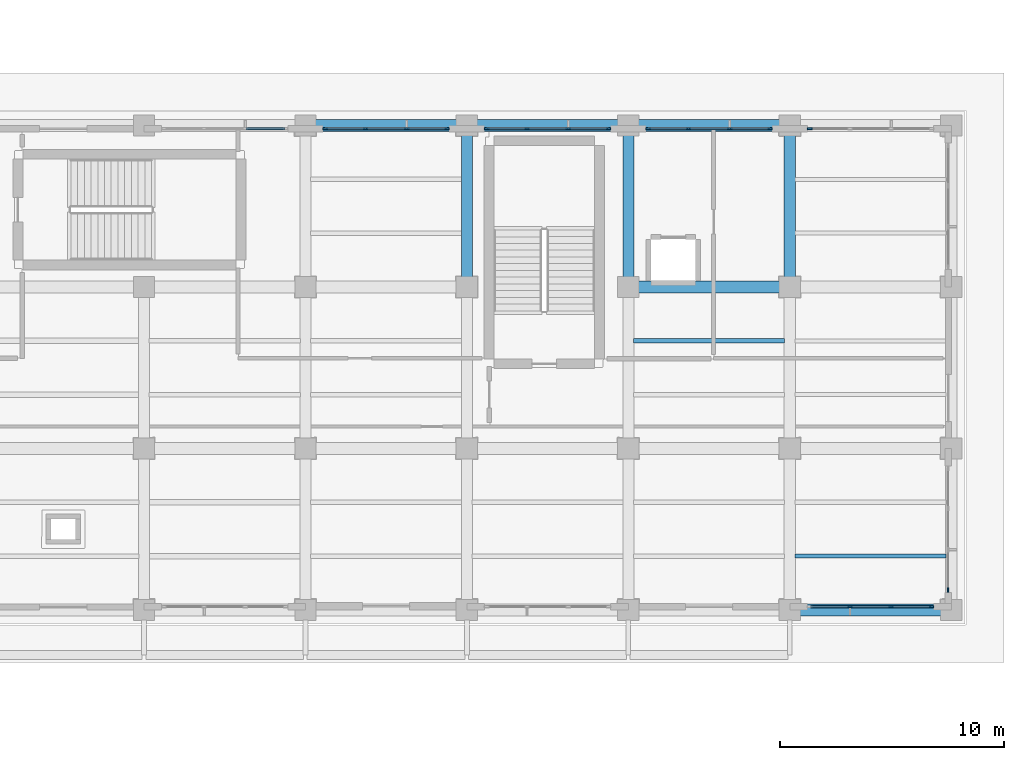
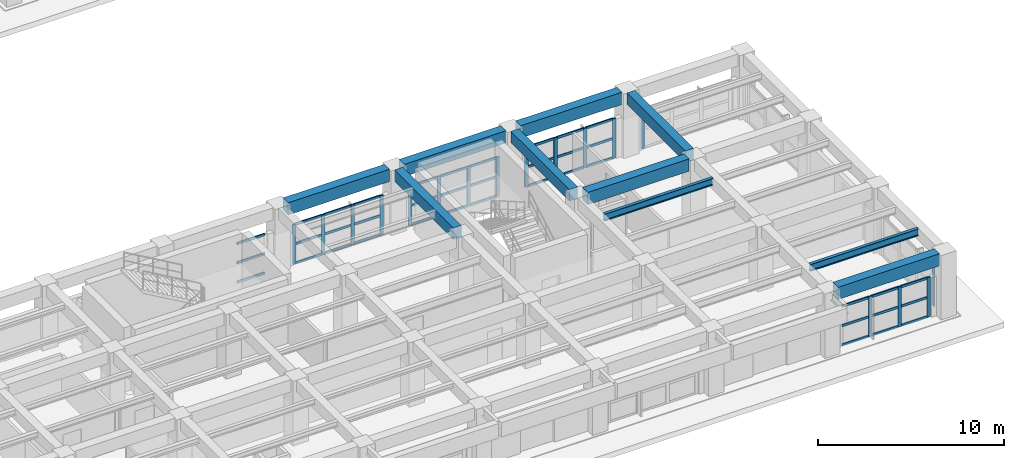
# One storey, part 27 of 64: 56 members, 10 beams, 7 elements without a shape of their own.
"""IFC4 building model written with IfcOpenShell, lengths in metres."""

from ifc_helpers import new_model, si_unit, direction, frame, origin, origin_2d, place, context, subcontext, project, spatial, rectangle, i_section, extrude, material, layer, layer_set, material_profile, profile_set, type_object, element, aggregate, save


model = new_model("IFC4")

# Units and contexts
model_context = context("Model", 3, precision=1e-05, world=origin(), true_north=direction((0.0, 1.0)))
body_context = subcontext(model_context, "Body", "Model", "MODEL_VIEW")
ifc_project = project(units=[si_unit("LENGTHUNIT", "METRE"), si_unit("AREAUNIT", "SQUARE_METRE"), si_unit("VOLUMEUNIT", "CUBIC_METRE"), si_unit("PLANEANGLEUNIT", "RADIAN"), si_unit("MASSUNIT", "GRAM", prefix="KILO")], contexts=[model_context])

# Site, building, storey
site_placement = place(None, origin())
site = spatial("IfcSite", under=ifc_project, at=site_placement, CompositionType="ELEMENT")
building_placement = place(site_placement, origin())
building = spatial("IfcBuilding", under=site, at=building_placement, Name="Solenvale Faculty of Natural Sciences", CompositionType="ELEMENT")
storey_placement = place(building_placement, origin())
storey = spatial("IfcBuildingStorey", under=building, at=storey_placement, Name="L00", CompositionType="ELEMENT", Elevation=0.0)

# Beams
ifc_material_1 = material(Name="Concrete 40 MPa", Category="concrete")
ifc_material_profile_1 = material_profile(ifc_material_1, rectangle(XDim=0.5, YDim=0.75, at=origin_2d()), Name="RC-BM-500x750")
ifc_profile_set_1 = profile_set([ifc_material_profile_1], Name="Concrete 40 MPa")
beam_type_1 = type_object("IfcBeamType", Name="BM-RC-500x750", PredefinedType="BEAM", material=ifc_profile_set_1)
for number, where, z_axis, x_axis, name in (
    (1, (144.0, 50.85498046875, 3.844970703125), (0.0, 1.0, 0.0), (-1.0, 0.0, 0.0), "L00 Y-Girder X144.0 (50.4..57.6)"),
    (2, (151.199951171875, 50.85498046875, 3.844970703125), (0.0, 1.0, 0.0), (-1.0, 0.0, 0.0), "L00 Y-Girder X151.2 (50.4..57.6)"),
    (3, (158.39990234375, 50.85498046875, 3.844970703125), (0.0, 1.0, 0.0), (-1.0, 0.0, 0.0), "L00 Y-Girder X158.4 (50.4..57.6)"),
):
    element("IfcBeam", number, at=place(storey_placement, frame(where, z_axis=z_axis, x_axis=x_axis)), inside=storey, type_object=beam_type_1, Name=name, PredefinedType="BEAM", context=body_context, shape_type="SweptSolid", body=[
        extrude(rectangle(XDim=0.5, YDim=0.75, at=origin_2d()), origin(), (0.0, 0.0, 1.0), 6.2900390625),
    ])
ifc_material_profile_2 = material_profile(ifc_material_1, rectangle(XDim=0.550048828125, YDim=0.800048828125, at=origin_2d()), Name="RC-BM-550x800")
ifc_profile_set_2 = profile_set([ifc_material_profile_2], Name="Concrete 40 MPa")
beam_type_2 = type_object("IfcBeamType", Name="BM-RC-550x800", PredefinedType="BEAM", material=ifc_profile_set_2)
for number, where, z_axis, x_axis, name in (
    (4, (158.85498046875, 36.0, 3.820068359375), (1.0, 0.0, 0.0), (0.0, 1.0, 0.0), "L00 X-Girder Y36.0 (158.4..165.6)"),
    (5, (151.655029296875, 50.39990234375, 3.820068359375), (1.0, 0.0, 0.0), (0.0, 1.0, 0.0), "L00 X-Girder Y50.4 (151.2..158.4)"),
    (6, (137.2548828125, 57.60009765625, 3.820068359375), (1.0, 0.0, 0.0), (0.0, 1.0, 0.0), "L00 X-Girder Y57.6 (136.8..144.0)"),
    (7, (144.455078125, 57.60009765625, 3.820068359375), (1.0, 0.0, 0.0), (0.0, 1.0, 0.0), "L00 X-Girder Y57.6 (144.0..151.2)"),
    (8, (151.655029296875, 57.60009765625, 3.820068359375), (1.0, 0.0, 0.0), (0.0, 1.0, 0.0), "L00 X-Girder Y57.6 (151.2..158.4)"),
):
    element("IfcBeam", number, at=place(storey_placement, frame(where, z_axis=z_axis, x_axis=x_axis)), inside=storey, type_object=beam_type_2, Name=name, PredefinedType="BEAM", context=body_context, shape_type="SweptSolid", body=[
        extrude(rectangle(XDim=0.550048828125, YDim=0.800048828125, at=origin_2d()), origin(), (0.0, 0.0, 1.0), 6.2900390625),
    ])
ifc_material_2 = material(Name="Steel S355", Category="steel")
ifc_material_profile_3 = material_profile(ifc_material_2, i_section(OverallWidth=0.19091796875, OverallDepth=0.4599609375, WebThickness=0.010009765625, FlangeThickness=0.01611328125, FilletRadius=0.01806640625, at=origin_2d()), Name="W460x82")
ifc_profile_set_3 = profile_set([ifc_material_profile_3], Name="Steel S355")
beam_type_3 = type_object("IfcBeamType", Name="BM-STL-W460x82", PredefinedType="JOIST", material=ifc_profile_set_3)
beam_1_placement = place(storey_placement, frame((151.429931640625, 48.0, 3.989990234375), z_axis=(1.0, 0.0, 0.0), x_axis=(0.0, 1.0, 0.0)))
element("IfcBeam", 9, at=beam_1_placement, inside=storey, type_object=beam_type_3, Name="L00 Composite Floor Joist (22,7).2", PredefinedType="JOIST", context=body_context, shape_type="SweptSolid", body=[
    extrude(i_section(OverallWidth=0.19091796875, OverallDepth=0.4599609375, WebThickness=0.010009765625, FlangeThickness=0.01611328125, FilletRadius=0.01806640625, at=origin_2d()), origin(), (0.0, 0.0, 1.0), 6.739990234375),
])
beam_2_placement = place(storey_placement, frame((158.6298828125, 38.39990234375, 3.989990234375), z_axis=(1.0, 0.0, 0.0), x_axis=(0.0, 1.0, 0.0)))
element("IfcBeam", 10, at=beam_2_placement, inside=storey, type_object=beam_type_3, Name="L00 Composite Floor Joist (23,6).1", PredefinedType="JOIST", context=body_context, shape_type="SweptSolid", body=[
    extrude(i_section(OverallWidth=0.19091796875, OverallDepth=0.4599609375, WebThickness=0.010009765625, FlangeThickness=0.01611328125, FilletRadius=0.01806640625, at=origin_2d()), origin(), (0.0, 0.0, 1.0), 6.740234375),
])

# Curtain wall, members
ifc_material_3 = material(Name="Anodised bronze aluminium", Category="aluminium")
ifc_layer = layer(ifc_material_3, 0.199951171875)
ifc_layer_set = layer_set([ifc_layer], Name="Anodised bronze aluminium")
curtain_wall_type = type_object("IfcCurtainWallType", Name="CW-COM-FIN", PredefinedType="USERDEFINED", material=ifc_layer_set)
curtain_wall_1_placement = place(storey_placement, origin())
curtain_wall_1 = element("IfcCurtainWall", 11, at=curtain_wall_1_placement, inside=storey, type_object=curtain_wall_type, Name="L00 Curtain Wall CW-L00-P1-E5-B7", ObjectType="UNITISED CURTAIN WALL", PredefinedType="USERDEFINED")
ifc_material_profile_4 = material_profile(ifc_material_3, rectangle(XDim=0.074951171875, YDim=0.2099609375, at=origin_2d()), Name="ALU-MUL-75x210")
ifc_profile_set_4 = profile_set([ifc_material_profile_4], Name="Anodised bronze aluminium")
member_type_1 = type_object("IfcMemberType", Name="CWM-ALU-75x210", PredefinedType="MULLION", material=ifc_profile_set_4)
member_1_placement = place(storey_placement, frame((161.083251953125, 36.142578125, 0.0), z_axis=(0.0, 0.0, 1.0), x_axis=(0.0, 1.0, 0.0)))
member_1 = element("IfcMember", 12, at=member_1_placement, type_object=member_type_1, Name="CW-03 mullion 2", PredefinedType="MULLION", context=body_context, shape_type="SweptSolid", body=[
    extrude(rectangle(XDim=0.074951171875, YDim=0.2099609375, at=origin_2d()), origin(), (0.0, 0.0, 1.0), 2.60009765625),
])
member_2_placement = place(storey_placement, frame((162.916748046875, 36.142578125, 0.0), z_axis=(0.0, 0.0, 1.0), x_axis=(0.0, 1.0, 0.0)))
member_2 = element("IfcMember", 13, at=member_2_placement, type_object=member_type_1, Name="CW-03 mullion 3", PredefinedType="MULLION", context=body_context, shape_type="SweptSolid", body=[
    extrude(rectangle(XDim=0.074951171875, YDim=0.2099609375, at=origin_2d()), origin(), (0.0, 0.0, 1.0), 2.60009765625),
])
member_3_placement = place(storey_placement, frame((164.71240234375, 36.142578125, 0.0), z_axis=(0.0, 0.0, 1.0), x_axis=(0.0, 1.0, 0.0)))
member_3 = element("IfcMember", 14, at=member_3_placement, type_object=member_type_1, Name="CW-03 mullion 4", PredefinedType="MULLION", context=body_context, shape_type="SweptSolid", body=[
    extrude(rectangle(XDim=0.074951171875, YDim=0.2099609375, at=origin_2d()), origin(), (0.0, 0.0, 1.0), 2.60009765625),
])

# Curtain wall, member
curtain_wall_2_placement = place(storey_placement, origin())
curtain_wall_2 = element("IfcCurtainWall", 15, at=curtain_wall_2_placement, inside=storey, type_object=curtain_wall_type, Name="L00 Curtain Wall CW-L00-P1-E6-B1", ObjectType="UNITISED CURTAIN WALL", PredefinedType="USERDEFINED")
member_4_placement = place(storey_placement, frame((165.45751953125, 36.887451171875, 0.0), z_axis=(0.0, 0.0, 1.0), x_axis=(-1.0, 0.0, 0.0)))
member_4 = element("IfcMember", 16, at=member_4_placement, type_object=member_type_1, Name="CW-03 mullion 1", PredefinedType="MULLION", context=body_context, shape_type="SweptSolid", body=[
    extrude(rectangle(XDim=0.074951171875, YDim=0.2099609375, at=origin_2d()), origin(), (0.0, 0.0, 1.0), 2.60009765625),
])
aggregate(curtain_wall_2, [member_4])

curtain_wall_3_placement = place(storey_placement, origin())
curtain_wall_3 = element("IfcCurtainWall", 17, at=curtain_wall_3_placement, inside=storey, type_object=curtain_wall_type, Name="L00 Curtain Wall CW-L00-P1-E7-B1", ObjectType="UNITISED CURTAIN WALL", PredefinedType="USERDEFINED")
member_5_placement = place(storey_placement, frame((159.28759765625, 57.45751953125, 0.0), z_axis=(0.0, 0.0, 1.0), x_axis=(0.0, -1.0, 0.0)))
member_5 = element("IfcMember", 18, at=member_5_placement, type_object=member_type_1, Name="CW-03 mullion 4", PredefinedType="MULLION", context=body_context, shape_type="SweptSolid", body=[
    extrude(rectangle(XDim=0.074951171875, YDim=0.2099609375, at=origin_2d()), origin(), (0.0, 0.0, 1.0), 2.60009765625),
])
aggregate(curtain_wall_3, [member_5])

# Curtain wall, members
curtain_wall_4_placement = place(storey_placement, origin())
curtain_wall_4 = element("IfcCurtainWall", 19, at=curtain_wall_4_placement, inside=storey, type_object=curtain_wall_type, Name="L00 Curtain Wall CW-L00-P1-E7-B2", ObjectType="UNITISED CURTAIN WALL", PredefinedType="USERDEFINED")
member_6_placement = place(storey_placement, frame((157.512451171875, 57.45751953125, 0.0), z_axis=(0.0, 0.0, 1.0), x_axis=(0.0, -1.0, 0.0)))
member_6 = element("IfcMember", 20, at=member_6_placement, type_object=member_type_1, Name="CW-03 mullion 1", PredefinedType="MULLION", context=body_context, shape_type="SweptSolid", body=[
    extrude(rectangle(XDim=0.074951171875, YDim=0.2099609375, at=origin_2d()), origin(), (0.0, 0.0, 1.0), 2.60009765625),
])
member_7_placement = place(storey_placement, frame((155.716552734375, 57.45751953125, 0.0), z_axis=(0.0, 0.0, 1.0), x_axis=(0.0, -1.0, 0.0)))
member_7 = element("IfcMember", 21, at=member_7_placement, type_object=member_type_1, Name="CW-03 mullion 2", PredefinedType="MULLION", context=body_context, shape_type="SweptSolid", body=[
    extrude(rectangle(XDim=0.074951171875, YDim=0.2099609375, at=origin_2d()), origin(), (0.0, 0.0, 1.0), 2.60009765625),
])
member_8_placement = place(storey_placement, frame((153.88330078125, 57.45751953125, 0.0), z_axis=(0.0, 0.0, 1.0), x_axis=(0.0, -1.0, 0.0)))
member_8 = element("IfcMember", 22, at=member_8_placement, type_object=member_type_1, Name="CW-03 mullion 3", PredefinedType="MULLION", context=body_context, shape_type="SweptSolid", body=[
    extrude(rectangle(XDim=0.074951171875, YDim=0.2099609375, at=origin_2d()), origin(), (0.0, 0.0, 1.0), 2.60009765625),
])
member_9_placement = place(storey_placement, frame((152.08740234375, 57.45751953125, 0.0), z_axis=(0.0, 0.0, 1.0), x_axis=(0.0, -1.0, 0.0)))
member_9 = element("IfcMember", 23, at=member_9_placement, type_object=member_type_1, Name="CW-03 mullion 4", PredefinedType="MULLION", context=body_context, shape_type="SweptSolid", body=[
    extrude(rectangle(XDim=0.074951171875, YDim=0.2099609375, at=origin_2d()), origin(), (0.0, 0.0, 1.0), 2.60009765625),
])

curtain_wall_5_placement = place(storey_placement, origin())
curtain_wall_5 = element("IfcCurtainWall", 24, at=curtain_wall_5_placement, inside=storey, type_object=curtain_wall_type, Name="L00 Curtain Wall CW-L00-P1-E7-B3", ObjectType="UNITISED CURTAIN WALL", PredefinedType="USERDEFINED")
member_10_placement = place(storey_placement, frame((150.3125, 57.45751953125, 0.0), z_axis=(0.0, 0.0, 1.0), x_axis=(0.0, -1.0, 0.0)))
member_10 = element("IfcMember", 25, at=member_10_placement, type_object=member_type_1, Name="CW-03 mullion 1", PredefinedType="MULLION", context=body_context, shape_type="SweptSolid", body=[
    extrude(rectangle(XDim=0.074951171875, YDim=0.2099609375, at=origin_2d()), origin(), (0.0, 0.0, 1.0), 2.60009765625),
])
member_11_placement = place(storey_placement, frame((148.5166015625, 57.45751953125, 0.0), z_axis=(0.0, 0.0, 1.0), x_axis=(0.0, -1.0, 0.0)))
member_11 = element("IfcMember", 26, at=member_11_placement, type_object=member_type_1, Name="CW-03 mullion 2", PredefinedType="MULLION", context=body_context, shape_type="SweptSolid", body=[
    extrude(rectangle(XDim=0.074951171875, YDim=0.2099609375, at=origin_2d()), origin(), (0.0, 0.0, 1.0), 2.60009765625),
])
member_12_placement = place(storey_placement, frame((146.683349609375, 57.45751953125, 0.0), z_axis=(0.0, 0.0, 1.0), x_axis=(0.0, -1.0, 0.0)))
member_12 = element("IfcMember", 27, at=member_12_placement, type_object=member_type_1, Name="CW-03 mullion 3", PredefinedType="MULLION", context=body_context, shape_type="SweptSolid", body=[
    extrude(rectangle(XDim=0.074951171875, YDim=0.2099609375, at=origin_2d()), origin(), (0.0, 0.0, 1.0), 2.60009765625),
])
member_13_placement = place(storey_placement, frame((144.887451171875, 57.45751953125, 0.0), z_axis=(0.0, 0.0, 1.0), x_axis=(0.0, -1.0, 0.0)))
member_13 = element("IfcMember", 28, at=member_13_placement, type_object=member_type_1, Name="CW-03 mullion 4", PredefinedType="MULLION", context=body_context, shape_type="SweptSolid", body=[
    extrude(rectangle(XDim=0.074951171875, YDim=0.2099609375, at=origin_2d()), origin(), (0.0, 0.0, 1.0), 2.60009765625),
])

curtain_wall_6_placement = place(storey_placement, origin())
curtain_wall_6 = element("IfcCurtainWall", 29, at=curtain_wall_6_placement, inside=storey, type_object=curtain_wall_type, Name="L00 Curtain Wall CW-L00-P1-E7-B4", ObjectType="UNITISED CURTAIN WALL", PredefinedType="USERDEFINED")
member_14_placement = place(storey_placement, frame((143.112548828125, 57.45751953125, 0.0), z_axis=(0.0, 0.0, 1.0), x_axis=(0.0, -1.0, 0.0)))
member_14 = element("IfcMember", 30, at=member_14_placement, type_object=member_type_1, Name="CW-03 mullion 1", PredefinedType="MULLION", context=body_context, shape_type="SweptSolid", body=[
    extrude(rectangle(XDim=0.074951171875, YDim=0.2099609375, at=origin_2d()), origin(), (0.0, 0.0, 1.0), 2.60009765625),
])
member_15_placement = place(storey_placement, frame((141.316650390625, 57.45751953125, 0.0), z_axis=(0.0, 0.0, 1.0), x_axis=(0.0, -1.0, 0.0)))
member_15 = element("IfcMember", 31, at=member_15_placement, type_object=member_type_1, Name="CW-03 mullion 2", PredefinedType="MULLION", context=body_context, shape_type="SweptSolid", body=[
    extrude(rectangle(XDim=0.074951171875, YDim=0.2099609375, at=origin_2d()), origin(), (0.0, 0.0, 1.0), 2.60009765625),
])
member_16_placement = place(storey_placement, frame((139.4833984375, 57.45751953125, 0.0), z_axis=(0.0, 0.0, 1.0), x_axis=(0.0, -1.0, 0.0)))
member_16 = element("IfcMember", 32, at=member_16_placement, type_object=member_type_1, Name="CW-03 mullion 3", PredefinedType="MULLION", context=body_context, shape_type="SweptSolid", body=[
    extrude(rectangle(XDim=0.074951171875, YDim=0.2099609375, at=origin_2d()), origin(), (0.0, 0.0, 1.0), 2.60009765625),
])
member_17_placement = place(storey_placement, frame((137.6875, 57.45751953125, 0.0), z_axis=(0.0, 0.0, 1.0), x_axis=(0.0, -1.0, 0.0)))
member_17 = element("IfcMember", 33, at=member_17_placement, type_object=member_type_1, Name="CW-03 mullion 4", PredefinedType="MULLION", context=body_context, shape_type="SweptSolid", body=[
    extrude(rectangle(XDim=0.074951171875, YDim=0.2099609375, at=origin_2d()), origin(), (0.0, 0.0, 1.0), 2.60009765625),
])

# Member
ifc_material_profile_5 = material_profile(ifc_material_3, rectangle(XDim=0.074951171875, YDim=0.155029296875, at=origin_2d()), Name="ALU-TRN-75x155")
ifc_profile_set_5 = profile_set([ifc_material_profile_5], Name="Anodised bronze aluminium")
member_type_2 = type_object("IfcMemberType", Name="CWT-ALU-75x155", PredefinedType="USERDEFINED", material=ifc_profile_set_5)
member_18_placement = place(storey_placement, frame((159.324951171875, 36.142578125, 0.03759765625), z_axis=(1.0, 0.0, 0.0), x_axis=(0.0, 1.0, 0.0)))
member_18 = element("IfcMember", 34, at=member_18_placement, type_object=member_type_2, Name="CW-03 transom 1.1", ObjectType="TRANSOM", PredefinedType="USERDEFINED", context=body_context, shape_type="SweptSolid", body=[
    extrude(rectangle(XDim=0.074951171875, YDim=0.155029296875, at=origin_2d()), origin(), (0.0, 0.0, 1.0), 1.720947265625),
])

member_19_placement = place(storey_placement, frame((159.324951171875, 36.142578125, 1.300048828125), z_axis=(1.0, 0.0, 0.0), x_axis=(0.0, 1.0, 0.0)))
member_19 = element("IfcMember", 35, at=member_19_placement, type_object=member_type_2, Name="CW-03 transom 1.2", ObjectType="TRANSOM", PredefinedType="USERDEFINED", context=body_context, shape_type="SweptSolid", body=[
    extrude(rectangle(XDim=0.074951171875, YDim=0.155029296875, at=origin_2d()), origin(), (0.0, 0.0, 1.0), 1.720947265625),
])

member_20_placement = place(storey_placement, frame((159.324951171875, 36.142578125, 2.5625), z_axis=(1.0, 0.0, 0.0), x_axis=(0.0, 1.0, 0.0)))
member_20 = element("IfcMember", 36, at=member_20_placement, type_object=member_type_2, Name="CW-03 transom 1.3", ObjectType="TRANSOM", PredefinedType="USERDEFINED", context=body_context, shape_type="SweptSolid", body=[
    extrude(rectangle(XDim=0.074951171875, YDim=0.155029296875, at=origin_2d()), origin(), (0.0, 0.0, 1.0), 1.720947265625),
])

member_21_placement = place(storey_placement, frame((161.120849609375, 36.142578125, 0.03759765625), z_axis=(1.0, 0.0, 0.0), x_axis=(0.0, 1.0, 0.0)))
member_21 = element("IfcMember", 37, at=member_21_placement, type_object=member_type_2, Name="CW-03 transom 2.1", ObjectType="TRANSOM", PredefinedType="USERDEFINED", context=body_context, shape_type="SweptSolid", body=[
    extrude(rectangle(XDim=0.074951171875, YDim=0.155029296875, at=origin_2d()), origin(), (0.0, 0.0, 1.0), 1.75830078125),
])

member_22_placement = place(storey_placement, frame((161.120849609375, 36.142578125, 1.300048828125), z_axis=(1.0, 0.0, 0.0), x_axis=(0.0, 1.0, 0.0)))
member_22 = element("IfcMember", 38, at=member_22_placement, type_object=member_type_2, Name="CW-03 transom 2.2", ObjectType="TRANSOM", PredefinedType="USERDEFINED", context=body_context, shape_type="SweptSolid", body=[
    extrude(rectangle(XDim=0.074951171875, YDim=0.155029296875, at=origin_2d()), origin(), (0.0, 0.0, 1.0), 1.75830078125),
])

member_23_placement = place(storey_placement, frame((161.120849609375, 36.142578125, 2.5625), z_axis=(1.0, 0.0, 0.0), x_axis=(0.0, 1.0, 0.0)))
member_23 = element("IfcMember", 39, at=member_23_placement, type_object=member_type_2, Name="CW-03 transom 2.3", ObjectType="TRANSOM", PredefinedType="USERDEFINED", context=body_context, shape_type="SweptSolid", body=[
    extrude(rectangle(XDim=0.074951171875, YDim=0.155029296875, at=origin_2d()), origin(), (0.0, 0.0, 1.0), 1.75830078125),
])

member_24_placement = place(storey_placement, frame((162.9541015625, 36.142578125, 0.03759765625), z_axis=(1.0, 0.0, 0.0), x_axis=(0.0, 1.0, 0.0)))
member_24 = element("IfcMember", 40, at=member_24_placement, type_object=member_type_2, Name="CW-03 transom 3.1", ObjectType="TRANSOM", PredefinedType="USERDEFINED", context=body_context, shape_type="SweptSolid", body=[
    extrude(rectangle(XDim=0.074951171875, YDim=0.155029296875, at=origin_2d()), origin(), (0.0, 0.0, 1.0), 1.720947265625),
])

member_25_placement = place(storey_placement, frame((162.9541015625, 36.142578125, 1.300048828125), z_axis=(1.0, 0.0, 0.0), x_axis=(0.0, 1.0, 0.0)))
member_25 = element("IfcMember", 41, at=member_25_placement, type_object=member_type_2, Name="CW-03 transom 3.2", ObjectType="TRANSOM", PredefinedType="USERDEFINED", context=body_context, shape_type="SweptSolid", body=[
    extrude(rectangle(XDim=0.074951171875, YDim=0.155029296875, at=origin_2d()), origin(), (0.0, 0.0, 1.0), 1.720947265625),
])

member_26_placement = place(storey_placement, frame((162.9541015625, 36.142578125, 2.5625), z_axis=(1.0, 0.0, 0.0), x_axis=(0.0, 1.0, 0.0)))
member_26 = element("IfcMember", 42, at=member_26_placement, type_object=member_type_2, Name="CW-03 transom 3.3", ObjectType="TRANSOM", PredefinedType="USERDEFINED", context=body_context, shape_type="SweptSolid", body=[
    extrude(rectangle(XDim=0.074951171875, YDim=0.155029296875, at=origin_2d()), origin(), (0.0, 0.0, 1.0), 1.720947265625),
])

aggregate(curtain_wall_1, [member_1, member_2, member_3, member_18, member_19, member_20, member_21, member_22, member_23, member_24, member_25, member_26])

member_27_placement = place(storey_placement, frame((157.47509765625, 57.45751953125, 0.03759765625), z_axis=(-1.0, 0.0, 0.0), x_axis=(0.0, -1.0, 0.0)))
member_27 = element("IfcMember", 43, at=member_27_placement, type_object=member_type_2, Name="CW-03 transom 1.1", ObjectType="TRANSOM", PredefinedType="USERDEFINED", context=body_context, shape_type="SweptSolid", body=[
    extrude(rectangle(XDim=0.074951171875, YDim=0.155029296875, at=origin_2d()), origin(), (0.0, 0.0, 1.0), 1.720947265625),
])

member_28_placement = place(storey_placement, frame((157.47509765625, 57.45751953125, 1.300048828125), z_axis=(-1.0, 0.0, 0.0), x_axis=(0.0, -1.0, 0.0)))
member_28 = element("IfcMember", 44, at=member_28_placement, type_object=member_type_2, Name="CW-03 transom 1.2", ObjectType="TRANSOM", PredefinedType="USERDEFINED", context=body_context, shape_type="SweptSolid", body=[
    extrude(rectangle(XDim=0.074951171875, YDim=0.155029296875, at=origin_2d()), origin(), (0.0, 0.0, 1.0), 1.720947265625),
])

member_29_placement = place(storey_placement, frame((157.47509765625, 57.45751953125, 2.5625), z_axis=(-1.0, 0.0, 0.0), x_axis=(0.0, -1.0, 0.0)))
member_29 = element("IfcMember", 45, at=member_29_placement, type_object=member_type_2, Name="CW-03 transom 1.3", ObjectType="TRANSOM", PredefinedType="USERDEFINED", context=body_context, shape_type="SweptSolid", body=[
    extrude(rectangle(XDim=0.074951171875, YDim=0.155029296875, at=origin_2d()), origin(), (0.0, 0.0, 1.0), 1.720947265625),
])

member_30_placement = place(storey_placement, frame((155.67919921875, 57.45751953125, 0.03759765625), z_axis=(-1.0, 0.0, 0.0), x_axis=(0.0, -1.0, 0.0)))
member_30 = element("IfcMember", 46, at=member_30_placement, type_object=member_type_2, Name="CW-03 transom 2.1", ObjectType="TRANSOM", PredefinedType="USERDEFINED", context=body_context, shape_type="SweptSolid", body=[
    extrude(rectangle(XDim=0.074951171875, YDim=0.155029296875, at=origin_2d()), origin(), (0.0, 0.0, 1.0), 1.75830078125),
])

member_31_placement = place(storey_placement, frame((155.67919921875, 57.45751953125, 1.300048828125), z_axis=(-1.0, 0.0, 0.0), x_axis=(0.0, -1.0, 0.0)))
member_31 = element("IfcMember", 47, at=member_31_placement, type_object=member_type_2, Name="CW-03 transom 2.2", ObjectType="TRANSOM", PredefinedType="USERDEFINED", context=body_context, shape_type="SweptSolid", body=[
    extrude(rectangle(XDim=0.074951171875, YDim=0.155029296875, at=origin_2d()), origin(), (0.0, 0.0, 1.0), 1.75830078125),
])

member_32_placement = place(storey_placement, frame((155.67919921875, 57.45751953125, 2.5625), z_axis=(-1.0, 0.0, 0.0), x_axis=(0.0, -1.0, 0.0)))
member_32 = element("IfcMember", 48, at=member_32_placement, type_object=member_type_2, Name="CW-03 transom 2.3", ObjectType="TRANSOM", PredefinedType="USERDEFINED", context=body_context, shape_type="SweptSolid", body=[
    extrude(rectangle(XDim=0.074951171875, YDim=0.155029296875, at=origin_2d()), origin(), (0.0, 0.0, 1.0), 1.75830078125),
])

member_33_placement = place(storey_placement, frame((153.845947265625, 57.45751953125, 0.03759765625), z_axis=(-1.0, 0.0, 0.0), x_axis=(0.0, -1.0, 0.0)))
member_33 = element("IfcMember", 49, at=member_33_placement, type_object=member_type_2, Name="CW-03 transom 3.1", ObjectType="TRANSOM", PredefinedType="USERDEFINED", context=body_context, shape_type="SweptSolid", body=[
    extrude(rectangle(XDim=0.074951171875, YDim=0.155029296875, at=origin_2d()), origin(), (0.0, 0.0, 1.0), 1.720947265625),
])

member_34_placement = place(storey_placement, frame((153.845947265625, 57.45751953125, 1.300048828125), z_axis=(-1.0, 0.0, 0.0), x_axis=(0.0, -1.0, 0.0)))
member_34 = element("IfcMember", 50, at=member_34_placement, type_object=member_type_2, Name="CW-03 transom 3.2", ObjectType="TRANSOM", PredefinedType="USERDEFINED", context=body_context, shape_type="SweptSolid", body=[
    extrude(rectangle(XDim=0.074951171875, YDim=0.155029296875, at=origin_2d()), origin(), (0.0, 0.0, 1.0), 1.720947265625),
])

member_35_placement = place(storey_placement, frame((153.845947265625, 57.45751953125, 2.5625), z_axis=(-1.0, 0.0, 0.0), x_axis=(0.0, -1.0, 0.0)))
member_35 = element("IfcMember", 51, at=member_35_placement, type_object=member_type_2, Name="CW-03 transom 3.3", ObjectType="TRANSOM", PredefinedType="USERDEFINED", context=body_context, shape_type="SweptSolid", body=[
    extrude(rectangle(XDim=0.074951171875, YDim=0.155029296875, at=origin_2d()), origin(), (0.0, 0.0, 1.0), 1.720947265625),
])

aggregate(curtain_wall_4, [member_6, member_7, member_8, member_9, member_27, member_28, member_29, member_30, member_31, member_32, member_33, member_34, member_35])

member_36_placement = place(storey_placement, frame((150.27490234375, 57.45751953125, 0.03759765625), z_axis=(-1.0, 0.0, 0.0), x_axis=(0.0, -1.0, 0.0)))
member_36 = element("IfcMember", 52, at=member_36_placement, type_object=member_type_2, Name="CW-03 transom 1.1", ObjectType="TRANSOM", PredefinedType="USERDEFINED", context=body_context, shape_type="SweptSolid", body=[
    extrude(rectangle(XDim=0.074951171875, YDim=0.155029296875, at=origin_2d()), origin(), (0.0, 0.0, 1.0), 1.720703125),
])

member_37_placement = place(storey_placement, frame((150.27490234375, 57.45751953125, 1.300048828125), z_axis=(-1.0, 0.0, 0.0), x_axis=(0.0, -1.0, 0.0)))
member_37 = element("IfcMember", 53, at=member_37_placement, type_object=member_type_2, Name="CW-03 transom 1.2", ObjectType="TRANSOM", PredefinedType="USERDEFINED", context=body_context, shape_type="SweptSolid", body=[
    extrude(rectangle(XDim=0.074951171875, YDim=0.155029296875, at=origin_2d()), origin(), (0.0, 0.0, 1.0), 1.720703125),
])

member_38_placement = place(storey_placement, frame((150.27490234375, 57.45751953125, 2.5625), z_axis=(-1.0, 0.0, 0.0), x_axis=(0.0, -1.0, 0.0)))
member_38 = element("IfcMember", 54, at=member_38_placement, type_object=member_type_2, Name="CW-03 transom 1.3", ObjectType="TRANSOM", PredefinedType="USERDEFINED", context=body_context, shape_type="SweptSolid", body=[
    extrude(rectangle(XDim=0.074951171875, YDim=0.155029296875, at=origin_2d()), origin(), (0.0, 0.0, 1.0), 1.720703125),
])

member_39_placement = place(storey_placement, frame((148.479248046875, 57.45751953125, 0.03759765625), z_axis=(-1.0, 0.0, 0.0), x_axis=(0.0, -1.0, 0.0)))
member_39 = element("IfcMember", 55, at=member_39_placement, type_object=member_type_2, Name="CW-03 transom 2.1", ObjectType="TRANSOM", PredefinedType="USERDEFINED", context=body_context, shape_type="SweptSolid", body=[
    extrude(rectangle(XDim=0.074951171875, YDim=0.155029296875, at=origin_2d()), origin(), (0.0, 0.0, 1.0), 1.75830078125),
])

member_40_placement = place(storey_placement, frame((148.479248046875, 57.45751953125, 1.300048828125), z_axis=(-1.0, 0.0, 0.0), x_axis=(0.0, -1.0, 0.0)))
member_40 = element("IfcMember", 56, at=member_40_placement, type_object=member_type_2, Name="CW-03 transom 2.2", ObjectType="TRANSOM", PredefinedType="USERDEFINED", context=body_context, shape_type="SweptSolid", body=[
    extrude(rectangle(XDim=0.074951171875, YDim=0.155029296875, at=origin_2d()), origin(), (0.0, 0.0, 1.0), 1.75830078125),
])

member_41_placement = place(storey_placement, frame((148.479248046875, 57.45751953125, 2.5625), z_axis=(-1.0, 0.0, 0.0), x_axis=(0.0, -1.0, 0.0)))
member_41 = element("IfcMember", 57, at=member_41_placement, type_object=member_type_2, Name="CW-03 transom 2.3", ObjectType="TRANSOM", PredefinedType="USERDEFINED", context=body_context, shape_type="SweptSolid", body=[
    extrude(rectangle(XDim=0.074951171875, YDim=0.155029296875, at=origin_2d()), origin(), (0.0, 0.0, 1.0), 1.75830078125),
])

member_42_placement = place(storey_placement, frame((146.645751953125, 57.45751953125, 0.03759765625), z_axis=(-1.0, 0.0, 0.0), x_axis=(0.0, -1.0, 0.0)))
member_42 = element("IfcMember", 58, at=member_42_placement, type_object=member_type_2, Name="CW-03 transom 3.1", ObjectType="TRANSOM", PredefinedType="USERDEFINED", context=body_context, shape_type="SweptSolid", body=[
    extrude(rectangle(XDim=0.074951171875, YDim=0.155029296875, at=origin_2d()), origin(), (0.0, 0.0, 1.0), 1.720703125),
])

member_43_placement = place(storey_placement, frame((146.645751953125, 57.45751953125, 1.300048828125), z_axis=(-1.0, 0.0, 0.0), x_axis=(0.0, -1.0, 0.0)))
member_43 = element("IfcMember", 59, at=member_43_placement, type_object=member_type_2, Name="CW-03 transom 3.2", ObjectType="TRANSOM", PredefinedType="USERDEFINED", context=body_context, shape_type="SweptSolid", body=[
    extrude(rectangle(XDim=0.074951171875, YDim=0.155029296875, at=origin_2d()), origin(), (0.0, 0.0, 1.0), 1.720703125),
])

member_44_placement = place(storey_placement, frame((146.645751953125, 57.45751953125, 2.5625), z_axis=(-1.0, 0.0, 0.0), x_axis=(0.0, -1.0, 0.0)))
member_44 = element("IfcMember", 60, at=member_44_placement, type_object=member_type_2, Name="CW-03 transom 3.3", ObjectType="TRANSOM", PredefinedType="USERDEFINED", context=body_context, shape_type="SweptSolid", body=[
    extrude(rectangle(XDim=0.074951171875, YDim=0.155029296875, at=origin_2d()), origin(), (0.0, 0.0, 1.0), 1.720703125),
])

aggregate(curtain_wall_5, [member_10, member_11, member_12, member_13, member_36, member_37, member_38, member_39, member_40, member_41, member_42, member_43, member_44])

member_45_placement = place(storey_placement, frame((143.074951171875, 57.45751953125, 0.03759765625), z_axis=(-1.0, 0.0, 0.0), x_axis=(0.0, -1.0, 0.0)))
member_45 = element("IfcMember", 61, at=member_45_placement, type_object=member_type_2, Name="CW-03 transom 1.1", ObjectType="TRANSOM", PredefinedType="USERDEFINED", context=body_context, shape_type="SweptSolid", body=[
    extrude(rectangle(XDim=0.074951171875, YDim=0.155029296875, at=origin_2d()), origin(), (0.0, 0.0, 1.0), 1.720703125),
])

member_46_placement = place(storey_placement, frame((143.074951171875, 57.45751953125, 1.300048828125), z_axis=(-1.0, 0.0, 0.0), x_axis=(0.0, -1.0, 0.0)))
member_46 = element("IfcMember", 62, at=member_46_placement, type_object=member_type_2, Name="CW-03 transom 1.2", ObjectType="TRANSOM", PredefinedType="USERDEFINED", context=body_context, shape_type="SweptSolid", body=[
    extrude(rectangle(XDim=0.074951171875, YDim=0.155029296875, at=origin_2d()), origin(), (0.0, 0.0, 1.0), 1.720703125),
])

member_47_placement = place(storey_placement, frame((143.074951171875, 57.45751953125, 2.5625), z_axis=(-1.0, 0.0, 0.0), x_axis=(0.0, -1.0, 0.0)))
member_47 = element("IfcMember", 63, at=member_47_placement, type_object=member_type_2, Name="CW-03 transom 1.3", ObjectType="TRANSOM", PredefinedType="USERDEFINED", context=body_context, shape_type="SweptSolid", body=[
    extrude(rectangle(XDim=0.074951171875, YDim=0.155029296875, at=origin_2d()), origin(), (0.0, 0.0, 1.0), 1.720703125),
])

member_48_placement = place(storey_placement, frame((141.279052734375, 57.45751953125, 0.03759765625), z_axis=(-1.0, 0.0, 0.0), x_axis=(0.0, -1.0, 0.0)))
member_48 = element("IfcMember", 64, at=member_48_placement, type_object=member_type_2, Name="CW-03 transom 2.1", ObjectType="TRANSOM", PredefinedType="USERDEFINED", context=body_context, shape_type="SweptSolid", body=[
    extrude(rectangle(XDim=0.074951171875, YDim=0.155029296875, at=origin_2d()), origin(), (0.0, 0.0, 1.0), 1.75830078125),
])

member_49_placement = place(storey_placement, frame((141.279052734375, 57.45751953125, 1.300048828125), z_axis=(-1.0, 0.0, 0.0), x_axis=(0.0, -1.0, 0.0)))
member_49 = element("IfcMember", 65, at=member_49_placement, type_object=member_type_2, Name="CW-03 transom 2.2", ObjectType="TRANSOM", PredefinedType="USERDEFINED", context=body_context, shape_type="SweptSolid", body=[
    extrude(rectangle(XDim=0.074951171875, YDim=0.155029296875, at=origin_2d()), origin(), (0.0, 0.0, 1.0), 1.75830078125),
])

member_50_placement = place(storey_placement, frame((141.279052734375, 57.45751953125, 2.5625), z_axis=(-1.0, 0.0, 0.0), x_axis=(0.0, -1.0, 0.0)))
member_50 = element("IfcMember", 66, at=member_50_placement, type_object=member_type_2, Name="CW-03 transom 2.3", ObjectType="TRANSOM", PredefinedType="USERDEFINED", context=body_context, shape_type="SweptSolid", body=[
    extrude(rectangle(XDim=0.074951171875, YDim=0.155029296875, at=origin_2d()), origin(), (0.0, 0.0, 1.0), 1.75830078125),
])

member_51_placement = place(storey_placement, frame((139.44580078125, 57.45751953125, 0.03759765625), z_axis=(-1.0, 0.0, 0.0), x_axis=(0.0, -1.0, 0.0)))
member_51 = element("IfcMember", 67, at=member_51_placement, type_object=member_type_2, Name="CW-03 transom 3.1", ObjectType="TRANSOM", PredefinedType="USERDEFINED", context=body_context, shape_type="SweptSolid", body=[
    extrude(rectangle(XDim=0.074951171875, YDim=0.155029296875, at=origin_2d()), origin(), (0.0, 0.0, 1.0), 1.720703125),
])

member_52_placement = place(storey_placement, frame((139.44580078125, 57.45751953125, 1.300048828125), z_axis=(-1.0, 0.0, 0.0), x_axis=(0.0, -1.0, 0.0)))
member_52 = element("IfcMember", 68, at=member_52_placement, type_object=member_type_2, Name="CW-03 transom 3.2", ObjectType="TRANSOM", PredefinedType="USERDEFINED", context=body_context, shape_type="SweptSolid", body=[
    extrude(rectangle(XDim=0.074951171875, YDim=0.155029296875, at=origin_2d()), origin(), (0.0, 0.0, 1.0), 1.720703125),
])

member_53_placement = place(storey_placement, frame((139.44580078125, 57.45751953125, 2.5625), z_axis=(-1.0, 0.0, 0.0), x_axis=(0.0, -1.0, 0.0)))
member_53 = element("IfcMember", 69, at=member_53_placement, type_object=member_type_2, Name="CW-03 transom 3.3", ObjectType="TRANSOM", PredefinedType="USERDEFINED", context=body_context, shape_type="SweptSolid", body=[
    extrude(rectangle(XDim=0.074951171875, YDim=0.155029296875, at=origin_2d()), origin(), (0.0, 0.0, 1.0), 1.720703125),
])

aggregate(curtain_wall_6, [member_14, member_15, member_16, member_17, member_45, member_46, member_47, member_48, member_49, member_50, member_51, member_52, member_53])

# Curtain wall, members
curtain_wall_7_placement = place(storey_placement, origin())
curtain_wall_7 = element("IfcCurtainWall", 70, at=curtain_wall_7_placement, inside=storey, type_object=curtain_wall_type, Name="L00 Curtain Wall CW-L00-P1-E7-B5", ObjectType="UNITISED CURTAIN WALL", PredefinedType="USERDEFINED")
member_54_placement = place(storey_placement, frame((135.875, 57.45751953125, 0.03759765625), z_axis=(-1.0, 0.0, 0.0), x_axis=(0.0, -1.0, 0.0)))
member_54 = element("IfcMember", 71, at=member_54_placement, type_object=member_type_2, Name="CW-03 transom 1.1", ObjectType="TRANSOM", PredefinedType="USERDEFINED", context=body_context, shape_type="SweptSolid", body=[
    extrude(rectangle(XDim=0.074951171875, YDim=0.155029296875, at=origin_2d()), origin(), (0.0, 0.0, 1.0), 1.720947265625),
])
member_55_placement = place(storey_placement, frame((135.875, 57.45751953125, 1.300048828125), z_axis=(-1.0, 0.0, 0.0), x_axis=(0.0, -1.0, 0.0)))
member_55 = element("IfcMember", 72, at=member_55_placement, type_object=member_type_2, Name="CW-03 transom 1.2", ObjectType="TRANSOM", PredefinedType="USERDEFINED", context=body_context, shape_type="SweptSolid", body=[
    extrude(rectangle(XDim=0.074951171875, YDim=0.155029296875, at=origin_2d()), origin(), (0.0, 0.0, 1.0), 1.720947265625),
])
member_56_placement = place(storey_placement, frame((135.875, 57.45751953125, 2.5625), z_axis=(-1.0, 0.0, 0.0), x_axis=(0.0, -1.0, 0.0)))
member_56 = element("IfcMember", 73, at=member_56_placement, type_object=member_type_2, Name="CW-03 transom 1.3", ObjectType="TRANSOM", PredefinedType="USERDEFINED", context=body_context, shape_type="SweptSolid", body=[
    extrude(rectangle(XDim=0.074951171875, YDim=0.155029296875, at=origin_2d()), origin(), (0.0, 0.0, 1.0), 1.720947265625),
])
aggregate(curtain_wall_7, [member_54, member_55, member_56])

save(model, "model.ifc")
